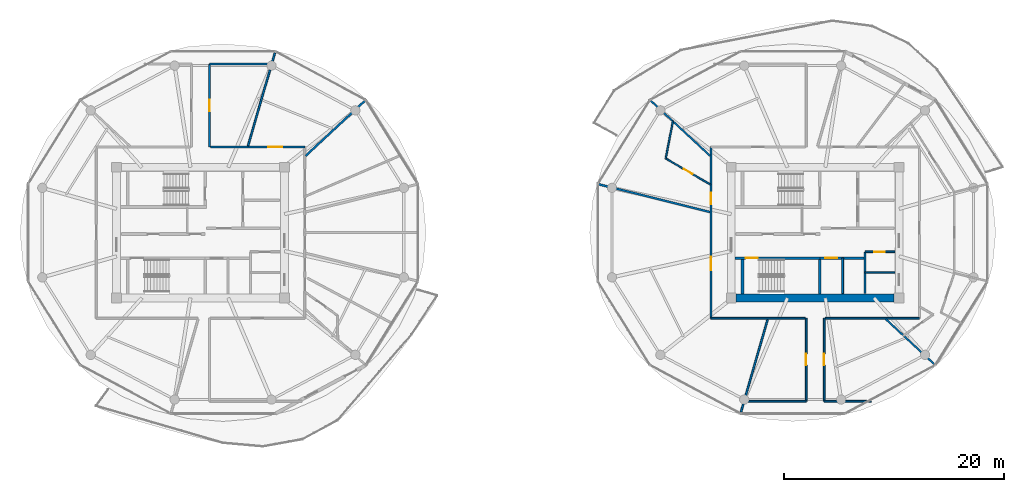
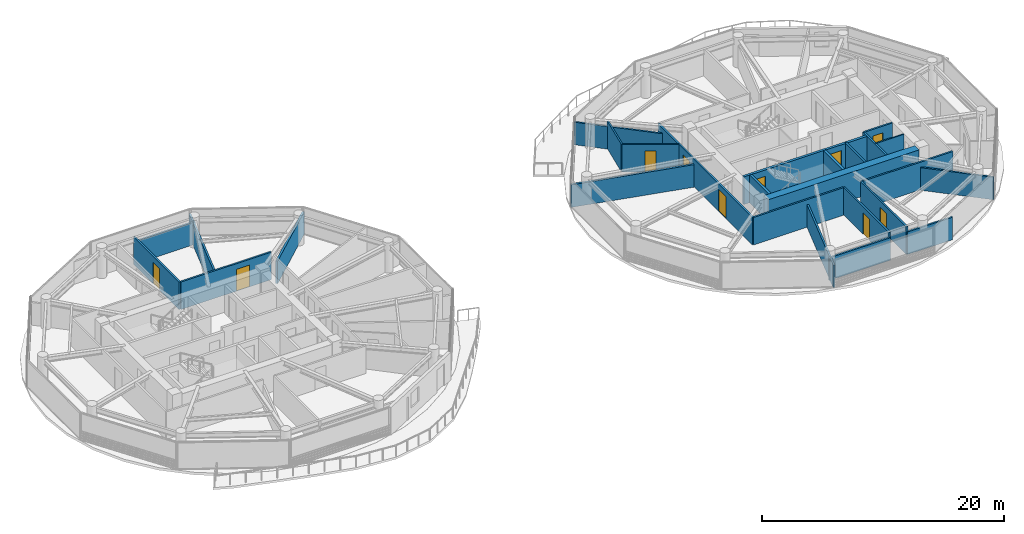
# One storey, part 15 of 24: 27 walls, 10 doors, 10 openings.
"""IFC4 building model written with IfcOpenShell, lengths in metres."""

from ifc_helpers import new_model, si_unit, direction, frame, frame_2d, origin, place, context, subcontext, project, spatial, rectangle, extrude, source, transform, mapped, material, layer, layer_set, type_object, type_shapes, element, fill, save


model = new_model("IFC4")

# Units and contexts
model_context = context("Model", 3, precision=1e-05, world=origin(), true_north=direction((0.0, 1.0)))
body_context = subcontext(model_context, "Body", "Model", "MODEL_VIEW")
ifc_project = project(units=[si_unit("LENGTHUNIT", "METRE"), si_unit("AREAUNIT", "SQUARE_METRE"), si_unit("VOLUMEUNIT", "CUBIC_METRE"), si_unit("PLANEANGLEUNIT", "RADIAN"), si_unit("MASSUNIT", "GRAM", prefix="KILO")], contexts=[model_context])

# Site, building, storey
site_placement = place(None, origin())
site = spatial("IfcSite", under=ifc_project, at=site_placement, CompositionType="ELEMENT")
building_placement = place(site_placement, origin())
building = spatial("IfcBuilding", under=site, at=building_placement, Name="Norrkilde Senior Care Towers", CompositionType="ELEMENT")
storey_placement = place(building_placement, frame((0.0, 0.0, 111.5)))
storey = spatial("IfcBuildingStorey", under=building, at=storey_placement, Name="L34", CompositionType="ELEMENT", Elevation=111.5)

# Walls
ifc_material_1 = material(Name="Concrete C60/75", Category="concrete")
ifc_layer_1 = layer(ifc_material_1, 0.719970703125)
ifc_layer_set_1 = layer_set([ifc_layer_1], Name="Concrete C60/75")
wall_type_1 = type_object("IfcWallType", Name="Core Shear Wall Z2 720", PredefinedType="SHEAR", material=ifc_layer_set_1)
shared_shape_1 = source(origin(), body_context, "Body", "SweptSolid", [
    extrude(rectangle(XDim=14.39990234375, YDim=0.719970703125, at=frame_2d((7.199951171875, 0.0))), origin(), (0.0, 0.0, 1.0), 2.7900390625),
])
type_shapes(wall_type_1, [shared_shape_1])
wall_1_placement = place(storey_placement, frame((35.199951171875, -5.949951171875, 0.0), z_axis=(0.0, 0.0, 1.0), x_axis=(-1.0, 0.0, 0.0)))
element("IfcWall", 1, at=wall_1_placement, inside=storey, type_object=wall_type_1, Name="L34 Core E South Shear Wall", PredefinedType="SHEAR", context=body_context, shape_type="MappedRepresentation", body=[
    mapped(shared_shape_1, transform((0.0, 0.0, 0.0), x_axis=(1.0, 0.0, 0.0), y_axis=(0.0, 1.0, 0.0), z_axis=(0.0, 0.0, 1.0), scale=1.0)),
])
ifc_material_2 = material(Name="Concrete C45/55", Category="concrete")
ifc_layer_2 = layer(ifc_material_2, 0.199951171875)
ifc_layer_set_2 = layer_set([ifc_layer_2], Name="Concrete C45/55")
wall_type_2 = type_object("IfcWallType", Name="Shaft Division and Plant Partition 200", PredefinedType="PARTITIONING", material=ifc_layer_set_2)
shared_shape_2 = source(origin(), body_context, "Body", "SweptSolid", [
    extrude(rectangle(XDim=3.800048828125, YDim=0.199951171875, at=frame_2d((1.89990234375, 0.0))), origin(), (0.0, 0.0, 1.0), 2.77490234375),
])
type_shapes(wall_type_2, [shared_shape_2])
wall_2_placement = place(storey_placement, frame((32.550048828125, -5.550048828125, 0.0), z_axis=(0.0, 0.0, 1.0), x_axis=(0.0, 1.0, 0.0)))
element("IfcWall", 2, at=wall_2_placement, inside=storey, type_object=wall_type_2, Name="WL-INT-L34-E-PKBE", PredefinedType="PARTITIONING", context=body_context, shape_type="MappedRepresentation", body=[
    mapped(shared_shape_2, transform((0.0, 0.0, 0.0), x_axis=(1.0, 0.0, 0.0), y_axis=(0.0, 1.0, 0.0), z_axis=(0.0, 0.0, 1.0), scale=1.0)),
])

# Wall, opening, door
ifc_layer_3 = layer(ifc_material_2, 0.239990234375)
ifc_layer_set_3 = layer_set([ifc_layer_3], Name="Concrete C45/55")
wall_type_3 = type_object("IfcWallType", Name="Lift and Plant Rated Enclosure Partition 240", PredefinedType="PARTITIONING", material=ifc_layer_set_3)
shared_shape_3 = source(origin(), body_context, "Body", "SweptSolid", [
    extrude(rectangle(XDim=4.130126953125, YDim=0.239990234375, at=frame_2d((2.06494140625, 0.0))), origin(), (0.0, 0.0, 1.0), 2.77490234375),
])
type_shapes(wall_type_3, [shared_shape_3])
wall_3_placement = place(storey_placement, frame((28.419921875, -2.330078125, 0.0), z_axis=(0.0, 0.0, 1.0), x_axis=(1.0, 0.0, 0.0)))
wall_3 = element("IfcWall", 3, at=wall_3_placement, inside=storey, type_object=wall_type_3, Name="WL-INT-L34-E-PKBN", PredefinedType="PARTITIONING", context=body_context, shape_type="MappedRepresentation", body=[
    mapped(shared_shape_3, transform((0.0, 0.0, 0.0), x_axis=(1.0, 0.0, 0.0), y_axis=(0.0, 1.0, 0.0), z_axis=(0.0, 0.0, 1.0), scale=1.0)),
])
opening_1_placement = place(wall_3_placement, frame((0.5, 0.0, 0.0)))
opening_1 = element("IfcOpeningElement", 4, at=opening_1_placement, cuts=wall_3, Name="Opening LD-01", PredefinedType="OPENING", context=body_context, shape_type="SweptSolid", body=[
    extrude(rectangle(XDim=1.10009765625, YDim=2.199951171875, at=frame_2d((0.550048828125, 1.10009765625))), frame((0.0, 0.1298828125, 0.0), z_axis=(0.0, -1.0, 0.0), x_axis=(1.0, 0.0, 0.0)), (0.0, 0.0, 1.0), 0.260009765625),
])
ifc_material_3 = material(Name="Stainless Steel", Category="steel")
door_type_1 = type_object("IfcDoorType", Name="Lift Landing Sliding Door 1100x2200", OperationType="NOTDEFINED", PredefinedType="DOOR", material=ifc_material_3)
shared_shape_4 = source(origin(), body_context, "Body", "SweptSolid", [
    extrude(rectangle(XDim=1.10009765625, YDim=2.199951171875, at=frame_2d((0.550048828125, 1.10009765625))), frame((0.0, 0.02490234375, 0.0), z_axis=(0.0, -1.0, 0.0), x_axis=(1.0, 0.0, 0.0)), (0.0, 0.0, 1.0), 0.050048828125),
])
type_shapes(door_type_1, [shared_shape_4])
door_1_placement = place(opening_1_placement, frame((1.10009765625, 0.0, 0.0), z_axis=(0.0, 0.0, 1.0), x_axis=(-1.0, 0.0, 0.0)))
door_1 = element("IfcDoor", 5, at=door_1_placement, inside=storey, type_object=door_type_1, Name="L34 Passenger Lift E3 Landing Door", OperationType="SLIDING_TO_LEFT", OverallHeight=2.199951171875, OverallWidth=1.10009765625, PredefinedType="DOOR", context=body_context, shape_type="MappedRepresentation", body=[
    mapped(shared_shape_4, transform((0.0, 0.0, 0.0), x_axis=(1.0, 0.0, 0.0), y_axis=(0.0, 1.0, 0.0), z_axis=(0.0, 0.0, 1.0), scale=1.0)),
])
fill(opening_1, door_1)

# Wall
ifc_layer_4 = layer(ifc_material_2, 0.179931640625)
ifc_layer_set_4 = layer_set([ifc_layer_4], Name="Concrete C45/55")
wall_type_4 = type_object("IfcWallType", Name="Hoistway Division Rated Partition 180", PredefinedType="PARTITIONING", material=ifc_layer_set_4)
shared_shape_5 = source(origin(), body_context, "Body", "SweptSolid", [
    extrude(rectangle(XDim=3.219970703125, YDim=0.179931640625, at=frame_2d((1.60986328125, 0.0))), origin(), (0.0, 0.0, 1.0), 2.77490234375),
])
type_shapes(wall_type_4, [shared_shape_5])
wall_4_placement = place(storey_placement, frame((30.5, -5.550048828125, 0.0), z_axis=(0.0, 0.0, 1.0), x_axis=(0.0, 1.0, 0.0)))
element("IfcWall", 6, at=wall_4_placement, inside=storey, type_object=wall_type_4, Name="WL-INT-L34-E-PL34", PredefinedType="PARTITIONING", context=body_context, shape_type="MappedRepresentation", body=[
    mapped(shared_shape_5, transform((0.0, 0.0, 0.0), x_axis=(1.0, 0.0, 0.0), y_axis=(0.0, 1.0, 0.0), z_axis=(0.0, 0.0, 1.0), scale=1.0)),
])

# Wall, opening, door
ifc_material_4 = material(Name="Gypsum Acoustic Board")
ifc_layer_5 = layer(ifc_material_4, 0.1650390625)
ifc_layer_set_5 = layer_set([ifc_layer_5], Name="Gypsum Acoustic Board")
wall_type_5 = type_object("IfcWallType", Name="Corridor Rated Partition 165", PredefinedType="PARTITIONING", material=ifc_layer_set_5)
shared_shape_6 = source(origin(), body_context, "Body", "SweptSolid", [
    extrude(rectangle(XDim=2.699951171875, YDim=0.1650390625, at=frame_2d((1.35009765625, 0.0))), origin(), (0.0, 0.0, 1.0), 2.77490234375),
])
wall_5_placement = place(storey_placement, frame((32.550048828125, -1.75, 0.0), z_axis=(0.0, 0.0, 1.0), x_axis=(1.0, 0.0, 0.0)))
wall_5 = element("IfcWall", 7, at=wall_5_placement, inside=storey, type_object=wall_type_5, Name="WL-INT-L34-E-CSN", PredefinedType="PARTITIONING", context=body_context, shape_type="MappedRepresentation", body=[
    mapped(shared_shape_6, transform((0.0, 0.0, 0.0), x_axis=(1.0, 0.0, 0.0), y_axis=(0.0, 1.0, 0.0), z_axis=(0.0, 0.0, 1.0), scale=1.0)),
])
opening_2_placement = place(wall_5_placement, frame((0.85009765625, 0.0, 0.0)))
opening_2 = element("IfcOpeningElement", 8, at=opening_2_placement, cuts=wall_5, Name="Opening D-12", PredefinedType="OPENING", context=body_context, shape_type="SweptSolid", body=[
    extrude(rectangle(XDim=0.925048828125, YDim=2.10009765625, at=frame_2d((0.46240234375, 1.050048828125))), frame((0.0, 0.092529296875, 0.0), z_axis=(0.0, -1.0, 0.0), x_axis=(1.0, 0.0, 0.0)), (0.0, 0.0, 1.0), 0.18505859375),
])
ifc_material_5 = material(Name="Galvanised Painted Steel", Category="steel")
door_type_2 = type_object("IfcDoorType", Name="Core Wet Room Rated Door 925x2100", OperationType="NOTDEFINED", PredefinedType="DOOR", material=ifc_material_5)
shared_shape_7 = source(origin(), body_context, "Body", "SweptSolid", [
    extrude(rectangle(XDim=0.925048828125, YDim=2.10009765625, at=frame_2d((0.46240234375, 1.050048828125))), frame((0.0, 0.02490234375, 0.0), z_axis=(0.0, -1.0, 0.0), x_axis=(1.0, 0.0, 0.0)), (0.0, 0.0, 1.0), 0.050048828125),
])
type_shapes(door_type_2, [shared_shape_7])
door_2_placement = place(opening_2_placement, origin())
door_2 = element("IfcDoor", 9, at=door_2_placement, inside=storey, type_object=door_type_2, Name="L34 Staff WC E Door", OperationType="SINGLE_SWING_LEFT", OverallHeight=2.10009765625, OverallWidth=0.925048828125, PredefinedType="DOOR", context=body_context, shape_type="MappedRepresentation", body=[
    mapped(shared_shape_7, transform((0.0, 0.0, 0.0), x_axis=(1.0, 0.0, 0.0), y_axis=(0.0, 1.0, 0.0), z_axis=(0.0, 0.0, 1.0), scale=1.0)),
])
fill(opening_2, door_2)

# Wall
ifc_layer_6 = layer(ifc_material_4, 0.139892578125)
ifc_layer_set_6 = layer_set([ifc_layer_6], Name="Gypsum Acoustic Board")
wall_type_6 = type_object("IfcWallType", Name="En-suite Wet Room Wall 140", PredefinedType="PARTITIONING", material=ifc_layer_set_6)
shared_shape_8 = source(origin(), body_context, "Body", "SweptSolid", [
    extrude(rectangle(XDim=2.699951171875, YDim=0.139892578125, at=frame_2d((1.35009765625, 0.0))), origin(), (0.0, 0.0, 1.0), 2.77490234375),
])
wall_6_placement = place(storey_placement, frame((32.550048828125, -3.64990234375, 0.0), z_axis=(0.0, 0.0, 1.0), x_axis=(1.0, 0.0, 0.0)))
element("IfcWall", 10, at=wall_6_placement, inside=storey, type_object=wall_type_6, Name="WL-INT-L34-E-CS2H", PredefinedType="PARTITIONING", context=body_context, shape_type="MappedRepresentation", body=[
    mapped(shared_shape_8, transform((0.0, 0.0, 0.0), x_axis=(1.0, 0.0, 0.0), y_axis=(0.0, 1.0, 0.0), z_axis=(0.0, 0.0, 1.0), scale=1.0)),
])

# Wall, openings, doors
shared_shape_9 = source(origin(), body_context, "Body", "SweptSolid", [
    extrude(rectangle(XDim=15.60009765625, YDim=0.1650390625, at=frame_2d((7.800048828125, 0.0))), origin(), (0.0, 0.0, 1.0), 2.77490234375),
])
wall_7_placement = place(storey_placement, frame((18.5, -7.800048828125, 0.0), z_axis=(0.0, 0.0, 1.0), x_axis=(0.0, 1.0, 0.0)))
wall_7 = element("IfcWall", 11, at=wall_7_placement, inside=storey, type_object=wall_type_5, Name="WL-INT-L34-E-CRW-W-0", PredefinedType="PARTITIONING", context=body_context, shape_type="MappedRepresentation", body=[
    mapped(shared_shape_9, transform((0.0, 0.0, 0.0), x_axis=(1.0, 0.0, 0.0), y_axis=(0.0, 1.0, 0.0), z_axis=(0.0, 0.0, 1.0), scale=1.0)),
])
opening_3_placement = place(wall_7_placement, frame((10.3828125, 0.0, 0.0)))
opening_3 = element("IfcOpeningElement", 12, at=opening_3_placement, cuts=wall_7, Name="Opening D-06", PredefinedType="OPENING", context=body_context, shape_type="SweptSolid", body=[
    extrude(rectangle(XDim=1.050048828125, YDim=2.14990234375, at=frame_2d((0.52490234375, 1.074951171875))), frame((0.0, 0.092529296875, 0.0), z_axis=(0.0, -1.0, 0.0), x_axis=(1.0, 0.0, 0.0)), (0.0, 0.0, 1.0), 0.18505859375),
])
opening_4_placement = place(wall_7_placement, frame((4.353271484375, 0.0, 0.0)))
opening_4 = element("IfcOpeningElement", 13, at=opening_4_placement, cuts=wall_7, Name="Opening D-05", PredefinedType="OPENING", context=body_context, shape_type="SweptSolid", body=[
    extrude(rectangle(XDim=1.25, YDim=2.199951171875, at=frame_2d((0.625, 1.10009765625))), frame((0.0, 0.092529296875, 0.0), z_axis=(0.0, -1.0, 0.0), x_axis=(1.0, 0.0, 0.0)), (0.0, 0.0, 1.0), 0.18505859375),
])
ifc_material_6 = material(Name="Nordic Ash Timber", Category="wood")
door_type_3 = type_object("IfcDoorType", Name="Care Bedroom Bariatric Door 1250x2200", OperationType="NOTDEFINED", PredefinedType="DOOR", material=ifc_material_6)
shared_shape_10 = source(origin(), body_context, "Body", "SweptSolid", [
    extrude(rectangle(XDim=1.25, YDim=2.199951171875, at=frame_2d((0.625, 1.10009765625))), frame((0.0, 0.02490234375, 0.0), z_axis=(0.0, -1.0, 0.0), x_axis=(1.0, 0.0, 0.0)), (0.0, 0.0, 1.0), 0.050048828125),
])
type_shapes(door_type_3, [shared_shape_10])
door_3_placement = place(opening_4_placement, frame((1.25, 0.0, 0.0), z_axis=(0.0, 0.0, 1.0), x_axis=(-1.0, 0.0, 0.0)))
door_3 = element("IfcDoor", 14, at=door_3_placement, inside=storey, type_object=door_type_3, Name="L34 Senior Wellness Library Lounge Door", OperationType="SINGLE_SWING_RIGHT", OverallHeight=2.199951171875, OverallWidth=1.25, PredefinedType="DOOR", context=body_context, shape_type="MappedRepresentation", body=[
    mapped(shared_shape_10, transform((0.0, 0.0, 0.0), x_axis=(1.0, 0.0, 0.0), y_axis=(0.0, 1.0, 0.0), z_axis=(0.0, 0.0, 1.0), scale=1.0)),
])
fill(opening_4, door_3)
door_type_4 = type_object("IfcDoorType", Name="Apartment Entrance Fire Door 1050x2150", OperationType="NOTDEFINED", PredefinedType="DOOR", material=ifc_material_6)
shared_shape_11 = source(origin(), body_context, "Body", "SweptSolid", [
    extrude(rectangle(XDim=1.050048828125, YDim=2.14990234375, at=frame_2d((0.52490234375, 1.074951171875))), frame((0.0, 0.02490234375, 0.0), z_axis=(0.0, -1.0, 0.0), x_axis=(1.0, 0.0, 0.0)), (0.0, 0.0, 1.0), 0.050048828125),
])
type_shapes(door_type_4, [shared_shape_11])
door_4_placement = place(opening_3_placement, frame((1.050048828125, 0.0, 0.0), z_axis=(0.0, 0.0, 1.0), x_axis=(-1.0, 0.0, 0.0)))
door_4 = element("IfcDoor", 15, at=door_4_placement, inside=storey, type_object=door_type_4, Name="L34 Studio 34A Entrance Door", OperationType="SINGLE_SWING_LEFT", OverallHeight=2.14990234375, OverallWidth=1.050048828125, PredefinedType="DOOR", context=body_context, shape_type="MappedRepresentation", body=[
    mapped(shared_shape_11, transform((0.0, 0.0, 0.0), x_axis=(1.0, 0.0, 0.0), y_axis=(0.0, 1.0, 0.0), z_axis=(0.0, 0.0, 1.0), scale=1.0)),
])
fill(opening_3, door_4)

# Wall, opening, door
ifc_layer_7 = layer(ifc_material_2, 0.239990234375)
ifc_layer_set_7 = layer_set([ifc_layer_7], Name="Concrete C45/55")
wall_type_7 = type_object("IfcWallType", Name="Shaft and Stair Enclosure Wall 240", PredefinedType="PARTITIONING", material=ifc_layer_set_7)
shared_shape_12 = source(origin(), body_context, "Body", "SweptSolid", [
    extrude(rectangle(XDim=7.830078125, YDim=0.239990234375, at=frame_2d((3.9150390625, 0.0))), origin(), (0.0, 0.0, 1.0), 2.7900390625),
])
wall_8_placement = place(storey_placement, frame((20.7099609375, -2.330078125, 0.0), z_axis=(0.0, 0.0, 1.0), x_axis=(1.0, 0.0, 0.0)))
wall_8 = element("IfcWall", 16, at=wall_8_placement, inside=storey, type_object=wall_type_7, Name="WL-INT-L34-E-ST2N", PredefinedType="PARTITIONING", context=body_context, shape_type="MappedRepresentation", body=[
    mapped(shared_shape_12, transform((0.0, 0.0, 0.0), x_axis=(1.0, 0.0, 0.0), y_axis=(0.0, 1.0, 0.0), z_axis=(0.0, 0.0, 1.0), scale=1.0)),
])
opening_5_placement = place(wall_8_placement, frame((0.949951171875, 0.0, 0.0)))
opening_5 = element("IfcOpeningElement", 17, at=opening_5_placement, cuts=wall_8, Name="Opening D-03", PredefinedType="OPENING", context=body_context, shape_type="SweptSolid", body=[
    extrude(rectangle(XDim=1.10009765625, YDim=2.14990234375, at=frame_2d((0.550048828125, 1.074951171875))), frame((0.0, 0.1298828125, 0.0), z_axis=(0.0, -1.0, 0.0), x_axis=(1.0, 0.0, 0.0)), (0.0, 0.0, 1.0), 0.260009765625),
])
door_type_5 = type_object("IfcDoorType", Name="Stairwell Protected Fire Door 1100x2150", OperationType="NOTDEFINED", PredefinedType="DOOR", material=ifc_material_5)
shared_shape_13 = source(origin(), body_context, "Body", "SweptSolid", [
    extrude(rectangle(XDim=1.10009765625, YDim=2.14990234375, at=frame_2d((0.550048828125, 1.074951171875))), frame((0.0, 0.02490234375, 0.0), z_axis=(0.0, -1.0, 0.0), x_axis=(1.0, 0.0, 0.0)), (0.0, 0.0, 1.0), 0.050048828125),
])
type_shapes(door_type_5, [shared_shape_13])
door_5_placement = place(opening_5_placement, frame((1.10009765625, 0.0, 0.0), z_axis=(0.0, 0.0, 1.0), x_axis=(-1.0, 0.0, 0.0)))
door_5 = element("IfcDoor", 18, at=door_5_placement, inside=storey, type_object=door_type_5, Name="L34 Stair E2 Fire Door", OperationType="SINGLE_SWING_RIGHT", OverallHeight=2.14990234375, OverallWidth=1.10009765625, PredefinedType="DOOR", context=body_context, shape_type="MappedRepresentation", body=[
    mapped(shared_shape_13, transform((0.0, 0.0, 0.0), x_axis=(1.0, 0.0, 0.0), y_axis=(0.0, 1.0, 0.0), z_axis=(0.0, 0.0, 1.0), scale=1.0)),
])
fill(opening_5, door_5)

# Walls
shared_shape_14 = source(origin(), body_context, "Body", "SweptSolid", [
    extrude(rectangle(XDim=3.14013671875, YDim=0.239990234375, at=frame_2d((1.570068359375, 0.0))), origin(), (0.0, 0.0, 1.0), 2.7900390625),
])
type_shapes(wall_type_7, [shared_shape_12, shared_shape_14])
for number, where, z_axis, x_axis, name in (
    (19, (21.3798828125, -5.590087890625, 0.0), (0.0, 0.0, 1.0), (0.0, 1.0, 0.0), "WL-INT-L34-E-ST2W"),
    (20, (28.419921875, -5.590087890625, 0.0), (0.0, 0.0, 1.0), (0.0, 1.0, 0.0), "WL-INT-L34-E-ST2E"),
):
    element("IfcWall", number, at=place(storey_placement, frame(where, z_axis=z_axis, x_axis=x_axis)), inside=storey, type_object=wall_type_7, Name=name, PredefinedType="PARTITIONING", context=body_context, shape_type="MappedRepresentation", body=[
        mapped(shared_shape_14, transform((0.0, 0.0, 0.0), x_axis=(1.0, 0.0, 0.0), y_axis=(0.0, 1.0, 0.0), z_axis=(0.0, 0.0, 1.0), scale=1.0)),
    ])

# Wall, opening, door
shared_shape_15 = source(origin(), body_context, "Body", "SweptSolid", [
    extrude(rectangle(XDim=8.60009765625, YDim=0.1650390625, at=frame_2d((4.300048828125, 0.0))), origin(), (0.0, 0.0, 1.0), 2.77490234375),
])
wall_9_placement = place(storey_placement, frame((-27.10009765625, 7.800048828125, 0.0), z_axis=(0.0, 0.0, 1.0), x_axis=(1.0, 0.0, 0.0)))
wall_9 = element("IfcWall", 21, at=wall_9_placement, inside=storey, type_object=wall_type_5, Name="WL-INT-L34-W-CRW-N-1", PredefinedType="PARTITIONING", context=body_context, shape_type="MappedRepresentation", body=[
    mapped(shared_shape_15, transform((0.0, 0.0, 0.0), x_axis=(1.0, 0.0, 0.0), y_axis=(0.0, 1.0, 0.0), z_axis=(0.0, 0.0, 1.0), scale=1.0)),
])
opening_6_placement = place(wall_9_placement, frame((5.27490234375, 0.0, 0.0)))
opening_6 = element("IfcOpeningElement", 22, at=opening_6_placement, cuts=wall_9, Name="Opening D-05", PredefinedType="OPENING", context=body_context, shape_type="SweptSolid", body=[
    extrude(rectangle(XDim=1.25, YDim=2.199951171875, at=frame_2d((0.625, 1.10009765625))), frame((0.0, 0.092529296875, 0.0), z_axis=(0.0, -1.0, 0.0), x_axis=(1.0, 0.0, 0.0)), (0.0, 0.0, 1.0), 0.18505859375),
])
door_6_placement = place(opening_6_placement, frame((1.25, 0.0, 0.0), z_axis=(0.0, 0.0, 1.0), x_axis=(-1.0, 0.0, 0.0)))
door_6 = element("IfcDoor", 23, at=door_6_placement, inside=storey, type_object=door_type_3, Name="L34 Household Communal Dining Salon Door", OperationType="SINGLE_SWING_RIGHT", OverallHeight=2.199951171875, OverallWidth=1.25, PredefinedType="DOOR", context=body_context, shape_type="MappedRepresentation", body=[
    mapped(shared_shape_10, transform((0.0, 0.0, 0.0), x_axis=(1.0, 0.0, 0.0), y_axis=(0.0, 1.0, 0.0), z_axis=(0.0, 0.0, 1.0), scale=1.0)),
])
fill(opening_6, door_6)

# Walls
for number, where, z_axis, x_axis, name in (
    (24, (37.5, -7.800048828125, 0.0), (0.0, 0.0, 1.0), (-1.0, 0.0, 0.0), "WL-INT-L34-E-CRW-S-0"),
    (25, (27.10009765625, -7.800048828125, 0.0), (0.0, 0.0, 1.0), (-1.0, 0.0, 0.0), "WL-INT-L34-E-CRW-S-1"),
):
    element("IfcWall", number, at=place(storey_placement, frame(where, z_axis=z_axis, x_axis=x_axis)), inside=storey, type_object=wall_type_5, Name=name, PredefinedType="PARTITIONING", context=body_context, shape_type="MappedRepresentation", body=[
        mapped(shared_shape_15, transform((0.0, 0.0, 0.0), x_axis=(1.0, 0.0, 0.0), y_axis=(0.0, 1.0, 0.0), z_axis=(0.0, 0.0, 1.0), scale=1.0)),
    ])
shared_shape_16 = source(origin(), body_context, "Body", "SweptSolid", [
    extrude(rectangle(XDim=6.186767578125, YDim=0.1650390625, at=frame_2d((3.09326171875, 0.0))), origin(), (0.0, 0.0, 1.0), 2.27490234375),
])
wall_10_placement = place(storey_placement, frame((34.428955078125, -7.8798828125, 0.0), z_axis=(0.0, 0.0, 1.0), x_axis=(0.732501077882, -0.680765870841, 0.0)))
element("IfcWall", 26, at=wall_10_placement, inside=storey, type_object=wall_type_5, Name="WL-INT-L34-E-DEM-10-0", PredefinedType="PARTITIONING", context=body_context, shape_type="MappedRepresentation", body=[
    mapped(shared_shape_16, transform((0.0, 0.0, 0.0), x_axis=(1.0, 0.0, 0.0), y_axis=(0.0, 1.0, 0.0), z_axis=(0.0, 0.0, 1.0), scale=1.0)),
])
shared_shape_17 = source(origin(), body_context, "Body", "SweptSolid", [
    extrude(rectangle(XDim=8.9892578125, YDim=0.1650390625, at=frame_2d((4.49462890625, 0.0))), origin(), (0.0, 0.0, 1.0), 2.27490234375),
])
for number, where, z_axis, x_axis, name in (
    (27, (-23.677978515625, 7.8798828125, 0.0), (0.0, 0.0, 1.0), (0.27702323008, 0.960863221274, 0.0), "WL-INT-L34-W-DEM-02-0"),
    (28, (23.677978515625, -7.8798828125, 0.0), (0.0, 0.0, 1.0), (-0.27702323008, -0.960863221274, 0.0), "WL-INT-L34-E-DEM-08-0"),
):
    element("IfcWall", number, at=place(storey_placement, frame(where, z_axis=z_axis, x_axis=x_axis)), inside=storey, type_object=wall_type_5, Name=name, PredefinedType="PARTITIONING", context=body_context, shape_type="MappedRepresentation", body=[
        mapped(shared_shape_17, transform((0.0, 0.0, 0.0), x_axis=(1.0, 0.0, 0.0), y_axis=(0.0, 1.0, 0.0), z_axis=(0.0, 0.0, 1.0), scale=1.0)),
    ])
shared_shape_18 = source(origin(), body_context, "Body", "SweptSolid", [
    extrude(rectangle(XDim=7.482177734375, YDim=0.1650390625, at=frame_2d((3.7412109375, 0.0))), origin(), (0.0, 0.0, 1.0), 2.27490234375),
])
wall_11_placement = place(storey_placement, frame((18.419921875, 6.998046875, 0.0), z_axis=(0.0, 0.0, 1.0), x_axis=(-0.732508698043, 0.680757671489, 0.0)))
element("IfcWall", 29, at=wall_11_placement, inside=storey, type_object=wall_type_5, Name="WL-INT-L34-E-DEM-04-0", PredefinedType="PARTITIONING", context=body_context, shape_type="MappedRepresentation", body=[
    mapped(shared_shape_18, transform((0.0, 0.0, 0.0), x_axis=(1.0, 0.0, 0.0), y_axis=(0.0, 1.0, 0.0), z_axis=(0.0, 0.0, 1.0), scale=1.0)),
])

# Wall, opening, door
shared_shape_19 = source(origin(), body_context, "Body", "SweptSolid", [
    extrude(rectangle(XDim=7.56005859375, YDim=0.1650390625, at=frame_2d((3.780029296875, 0.0))), origin(), (0.0, 0.0, 1.0), 2.77490234375),
])
wall_12_placement = place(storey_placement, frame((-27.179931640625, 7.800048828125, 0.0), z_axis=(0.0, 0.0, 1.0), x_axis=(0.0, 1.0, 0.0)))
wall_12 = element("IfcWall", 30, at=wall_12_placement, inside=storey, type_object=wall_type_5, Name="WL-INT-L34-W-PKW-NEL", PredefinedType="PARTITIONING", context=body_context, shape_type="MappedRepresentation", body=[
    mapped(shared_shape_19, transform((0.0, 0.0, 0.0), x_axis=(1.0, 0.0, 0.0), y_axis=(0.0, 1.0, 0.0), z_axis=(0.0, 0.0, 1.0), scale=1.0)),
])
opening_7_placement = place(wall_12_placement, frame((3.2548828125, 0.0, 0.0)))
opening_7 = element("IfcOpeningElement", 31, at=opening_7_placement, cuts=wall_12, Name="Opening D-06", PredefinedType="OPENING", context=body_context, shape_type="SweptSolid", body=[
    extrude(rectangle(XDim=1.050048828125, YDim=2.14990234375, at=frame_2d((0.52490234375, 1.074951171875))), frame((0.0, 0.092529296875, 0.0), z_axis=(0.0, -1.0, 0.0), x_axis=(1.0, 0.0, 0.0)), (0.0, 0.0, 1.0), 0.18505859375),
])
door_7_placement = place(opening_7_placement, frame((1.050048828125, 0.0, 0.0), z_axis=(0.0, 0.0, 1.0), x_axis=(-1.0, 0.0, 0.0)))
door_7 = element("IfcDoor", 32, at=door_7_placement, inside=storey, type_object=door_type_4, Name="L34 Reading Lounge NEL Door", OperationType="SINGLE_SWING_RIGHT", OverallHeight=2.14990234375, OverallWidth=1.050048828125, PredefinedType="DOOR", context=body_context, shape_type="MappedRepresentation", body=[
    mapped(shared_shape_11, transform((0.0, 0.0, 0.0), x_axis=(1.0, 0.0, 0.0), y_axis=(0.0, 1.0, 0.0), z_axis=(0.0, 0.0, 1.0), scale=1.0)),
])
fill(opening_7, door_7)

wall_13_placement = place(storey_placement, frame((27.179931640625, -15.360107421875, 0.0), z_axis=(0.0, 0.0, 1.0), x_axis=(0.0, 1.0, 0.0)))
wall_13 = element("IfcWall", 33, at=wall_13_placement, inside=storey, type_object=wall_type_5, Name="WL-INT-L34-E-PKW-SWL", PredefinedType="PARTITIONING", context=body_context, shape_type="MappedRepresentation", body=[
    mapped(shared_shape_19, transform((0.0, 0.0, 0.0), x_axis=(1.0, 0.0, 0.0), y_axis=(0.0, 1.0, 0.0), z_axis=(0.0, 0.0, 1.0), scale=1.0)),
])
opening_8_placement = place(wall_13_placement, frame((3.2548828125, 0.0, 0.0)))
opening_8 = element("IfcOpeningElement", 34, at=opening_8_placement, cuts=wall_13, Name="Opening D-06", PredefinedType="OPENING", context=body_context, shape_type="SweptSolid", body=[
    extrude(rectangle(XDim=1.050048828125, YDim=2.14990234375, at=frame_2d((0.52490234375, 1.074951171875))), frame((0.0, 0.092529296875, 0.0), z_axis=(0.0, -1.0, 0.0), x_axis=(1.0, 0.0, 0.0)), (0.0, 0.0, 1.0), 0.18505859375),
])
door_8_placement = place(opening_8_placement, frame((1.050048828125, 0.0, 0.0), z_axis=(0.0, 0.0, 1.0), x_axis=(-1.0, 0.0, 0.0)))
door_8 = element("IfcDoor", 35, at=door_8_placement, inside=storey, type_object=door_type_4, Name="L34 Reading Lounge SWL Door", OperationType="SINGLE_SWING_RIGHT", OverallHeight=2.14990234375, OverallWidth=1.050048828125, PredefinedType="DOOR", context=body_context, shape_type="MappedRepresentation", body=[
    mapped(shared_shape_11, transform((0.0, 0.0, 0.0), x_axis=(1.0, 0.0, 0.0), y_axis=(0.0, 1.0, 0.0), z_axis=(0.0, 0.0, 1.0), scale=1.0)),
])
fill(opening_8, door_8)

wall_14_placement = place(storey_placement, frame((28.820068359375, -15.360107421875, 0.0), z_axis=(0.0, 0.0, 1.0), x_axis=(0.0, 1.0, 0.0)))
wall_14 = element("IfcWall", 36, at=wall_14_placement, inside=storey, type_object=wall_type_5, Name="WL-INT-L34-E-PKW-SEL", PredefinedType="PARTITIONING", context=body_context, shape_type="MappedRepresentation", body=[
    mapped(shared_shape_19, transform((0.0, 0.0, 0.0), x_axis=(1.0, 0.0, 0.0), y_axis=(0.0, 1.0, 0.0), z_axis=(0.0, 0.0, 1.0), scale=1.0)),
])
opening_9_placement = place(wall_14_placement, frame((3.2548828125, 0.0, 0.0)))
opening_9 = element("IfcOpeningElement", 37, at=opening_9_placement, cuts=wall_14, Name="Opening D-06", PredefinedType="OPENING", context=body_context, shape_type="SweptSolid", body=[
    extrude(rectangle(XDim=1.050048828125, YDim=2.14990234375, at=frame_2d((0.52490234375, 1.074951171875))), frame((0.0, 0.092529296875, 0.0), z_axis=(0.0, -1.0, 0.0), x_axis=(1.0, 0.0, 0.0)), (0.0, 0.0, 1.0), 0.18505859375),
])
door_9_placement = place(opening_9_placement, frame((1.050048828125, 0.0, 0.0), z_axis=(0.0, 0.0, 1.0), x_axis=(-1.0, 0.0, 0.0)))
door_9 = element("IfcDoor", 38, at=door_9_placement, inside=storey, type_object=door_type_4, Name="L34 Reading Lounge SEL Door", OperationType="SINGLE_SWING_RIGHT", OverallHeight=2.14990234375, OverallWidth=1.050048828125, PredefinedType="DOOR", context=body_context, shape_type="MappedRepresentation", body=[
    mapped(shared_shape_11, transform((0.0, 0.0, 0.0), x_axis=(1.0, 0.0, 0.0), y_axis=(0.0, 1.0, 0.0), z_axis=(0.0, 0.0, 1.0), scale=1.0)),
])
fill(opening_9, door_9)

# Walls
shared_shape_20 = source(origin(), body_context, "Body", "SweptSolid", [
    extrude(rectangle(XDim=4.306884765625, YDim=0.1650390625, at=frame_2d((2.1533203125, 0.0))), origin(), (0.0, 0.0, 1.0), 2.27490234375),
])
wall_15_placement = place(storey_placement, frame((28.820068359375, -15.360107421875, 0.0), z_axis=(0.0, 0.0, 1.0), x_axis=(1.0, 0.0, 0.0)))
element("IfcWall", 39, at=wall_15_placement, inside=storey, type_object=wall_type_5, Name="WL-INT-L34-E-PKH-SEL-0", PredefinedType="PARTITIONING", context=body_context, shape_type="MappedRepresentation", body=[
    mapped(shared_shape_20, transform((0.0, 0.0, 0.0), x_axis=(1.0, 0.0, 0.0), y_axis=(0.0, 1.0, 0.0), z_axis=(0.0, 0.0, 1.0), scale=1.0)),
])
shared_shape_21 = source(origin(), body_context, "Body", "SweptSolid", [
    extrude(rectangle(XDim=5.81396484375, YDim=0.1650390625, at=frame_2d((2.906982421875, 0.0))), origin(), (0.0, 0.0, 1.0), 2.27490234375),
])
type_shapes(wall_type_5, [shared_shape_6, shared_shape_9, shared_shape_15, shared_shape_16, shared_shape_17, shared_shape_18, shared_shape_19, shared_shape_20, shared_shape_21])
for number, where, z_axis, x_axis, name in (
    (40, (-27.179931640625, 15.360107421875, 0.0), (0.0, 0.0, 1.0), (1.0, 0.0, 0.0), "WL-INT-L34-W-PKH-NEL-0"),
    (41, (21.365966796875, -15.360107421875, 0.0), (0.0, 0.0, 1.0), (1.0, 0.0, 0.0), "WL-INT-L34-E-PKH-SWL-0"),
):
    element("IfcWall", number, at=place(storey_placement, frame(where, z_axis=z_axis, x_axis=x_axis)), inside=storey, type_object=wall_type_5, Name=name, PredefinedType="PARTITIONING", context=body_context, shape_type="MappedRepresentation", body=[
        mapped(shared_shape_21, transform((0.0, 0.0, 0.0), x_axis=(1.0, 0.0, 0.0), y_axis=(0.0, 1.0, 0.0), z_axis=(0.0, 0.0, 1.0), scale=1.0)),
    ])
ifc_layer_8 = layer(ifc_material_4, 0.18994140625)
ifc_layer_set_8 = layer_set([ifc_layer_8], Name="Gypsum Acoustic Board")
wall_type_8 = type_object("IfcWallType", Name="Unit Demising Acoustic Wall 190", PredefinedType="PARTITIONING", material=ifc_layer_set_8)
shared_shape_22 = source(origin(), body_context, "Body", "SweptSolid", [
    extrude(rectangle(XDim=10.5556640625, YDim=0.18994140625, at=frame_2d((5.27783203125, 0.0))), origin(), (0.0, 0.0, 1.0), 2.27490234375),
])
wall_16_placement = place(storey_placement, frame((18.419921875, 1.875, 0.0), z_axis=(0.0, 0.0, 1.0), x_axis=(-0.970363857851, 0.241648470667, 0.0)))
element("IfcWall", 42, at=wall_16_placement, inside=storey, type_object=wall_type_8, Name="WL-INT-L34-E-DEM-05-0", PredefinedType="PARTITIONING", context=body_context, shape_type="MappedRepresentation", body=[
    mapped(shared_shape_22, transform((0.0, 0.0, 0.0), x_axis=(1.0, 0.0, 0.0), y_axis=(0.0, 1.0, 0.0), z_axis=(0.0, 0.0, 1.0), scale=1.0)),
])
shared_shape_23 = source(origin(), body_context, "Body", "SweptSolid", [
    extrude(rectangle(XDim=7.482177734375, YDim=0.18994140625, at=frame_2d((3.7412109375, 0.0))), origin(), (0.0, 0.0, 1.0), 2.27490234375),
])
type_shapes(wall_type_8, [shared_shape_22, shared_shape_23])
wall_17_placement = place(storey_placement, frame((-18.419921875, 6.998046875, 0.0), z_axis=(0.0, 0.0, 1.0), x_axis=(0.732508698043, 0.680757671489, 0.0)))
element("IfcWall", 43, at=wall_17_placement, inside=storey, type_object=wall_type_8, Name="WL-INT-L34-W-DEM-01-0", PredefinedType="PARTITIONING", context=body_context, shape_type="MappedRepresentation", body=[
    mapped(shared_shape_23, transform((0.0, 0.0, 0.0), x_axis=(1.0, 0.0, 0.0), y_axis=(0.0, 1.0, 0.0), z_axis=(0.0, 0.0, 1.0), scale=1.0)),
])

# Wall, opening, door
shared_shape_24 = source(origin(), body_context, "Body", "SweptSolid", [
    extrude(rectangle(XDim=4.7353515625, YDim=0.139892578125, at=frame_2d((2.36767578125, 0.0))), origin(), (0.0, 0.0, 1.0), 2.77490234375),
])
wall_18_placement = place(storey_placement, frame((18.469970703125, 4.36767578125, 0.0), z_axis=(0.0, 0.0, 1.0), x_axis=(-0.863537576642, 0.504284496814, 0.0)))
wall_18 = element("IfcWall", 44, at=wall_18_placement, inside=storey, type_object=wall_type_6, Name="WL-INT-L34-E-ES-04", PredefinedType="PARTITIONING", context=body_context, shape_type="MappedRepresentation", body=[
    mapped(shared_shape_24, transform((0.0, 0.0, 0.0), x_axis=(1.0, 0.0, 0.0), y_axis=(0.0, 1.0, 0.0), z_axis=(0.0, 0.0, 1.0), scale=1.0)),
])
opening_10_placement = place(wall_18_placement, frame((1.90771484375, 0.0, 0.0)))
opening_10 = element("IfcOpeningElement", 45, at=opening_10_placement, cuts=wall_18, Name="Opening D-08", PredefinedType="OPENING", context=body_context, shape_type="SweptSolid", body=[
    extrude(rectangle(XDim=0.919921875, YDim=2.10009765625, at=frame_2d((0.4599609375, 1.050048828125))), frame((0.0, 0.079833984375, 0.0), z_axis=(0.0, -1.0, 0.0), x_axis=(1.0, 0.0, 0.0)), (0.0, 0.0, 1.0), 0.159912109375),
])
door_type_6 = type_object("IfcDoorType", Name="Accessible Wet Room Door 920x2100", OperationType="NOTDEFINED", PredefinedType="DOOR", material=ifc_material_6)
shared_shape_25 = source(origin(), body_context, "Body", "SweptSolid", [
    extrude(rectangle(XDim=0.919921875, YDim=2.10009765625, at=frame_2d((0.4599609375, 1.050048828125))), frame((0.0, 0.02490234375, 0.0), z_axis=(0.0, -1.0, 0.0), x_axis=(1.0, 0.0, 0.0)), (0.0, 0.0, 1.0), 0.050048828125),
])
type_shapes(door_type_6, [shared_shape_25])
door_10_placement = place(opening_10_placement, origin())
door_10 = element("IfcDoor", 46, at=door_10_placement, inside=storey, type_object=door_type_6, Name="L34 Studio 34A Bathroom Door", OperationType="SINGLE_SWING_RIGHT", OverallHeight=2.10009765625, OverallWidth=0.919921875, PredefinedType="DOOR", context=body_context, shape_type="MappedRepresentation", body=[
    mapped(shared_shape_25, transform((0.0, 0.0, 0.0), x_axis=(1.0, 0.0, 0.0), y_axis=(0.0, 1.0, 0.0), z_axis=(0.0, 0.0, 1.0), scale=1.0)),
])
fill(opening_10, door_10)

# Wall
shared_shape_26 = source(origin(), body_context, "Body", "SweptSolid", [
    extrude(rectangle(XDim=3.4990234375, YDim=0.139892578125, at=frame_2d((1.74951171875, 0.0))), origin(), (0.0, 0.0, 1.0), 2.77490234375),
])
type_shapes(wall_type_6, [shared_shape_8, shared_shape_24, shared_shape_26])
wall_19_placement = place(storey_placement, frame((14.380859375, 6.755615234375, 0.0), z_axis=(0.0, 0.0, 1.0), x_axis=(0.18957713629, 0.981865830649, 0.0)))
element("IfcWall", 47, at=wall_19_placement, inside=storey, type_object=wall_type_6, Name="WL-INT-L34-E-EF-04", PredefinedType="PARTITIONING", context=body_context, shape_type="MappedRepresentation", body=[
    mapped(shared_shape_26, transform((0.0, 0.0, 0.0), x_axis=(1.0, 0.0, 0.0), y_axis=(0.0, 1.0, 0.0), z_axis=(0.0, 0.0, 1.0), scale=1.0)),
])

save(model, "model.ifc")
